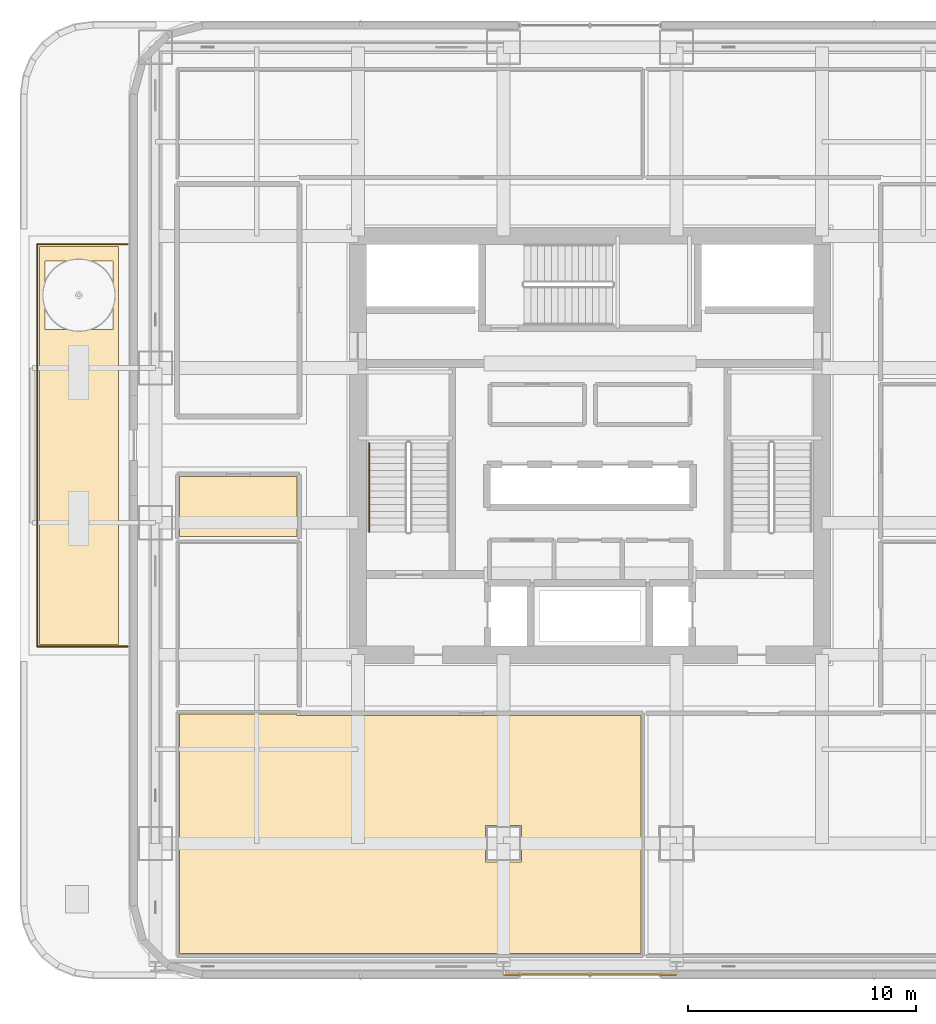
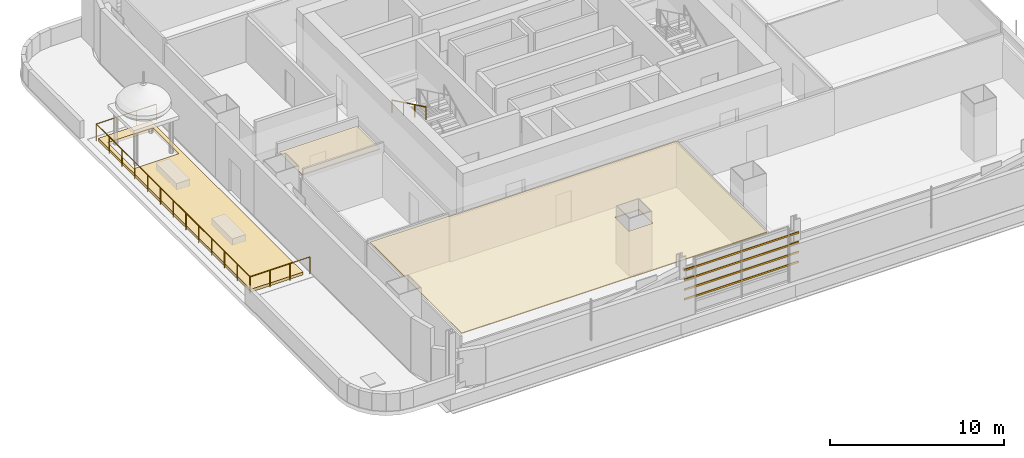
# One storey, part 17 of 27: 4 shading devices, 3 coverings, 2 railings.
"""IFC4 building model written with IfcOpenShell, lengths in metres."""

from ifc_helpers import new_model, si_unit, direction, frame, origin, origin_2d, place, context, subcontext, project, spatial, polyline, hollow_rectangle, circle, outline, extrude, material, layer, layer_set, material_profile, profile_set, type_object, element, save


model = new_model("IFC4")

# Units and contexts
model_context = context("Model", 3, precision=1e-05, world=origin(), true_north=direction((0.0, 1.0)))
body_context = subcontext(model_context, "Body", "Model", "MODEL_VIEW")
ifc_project = project(units=[si_unit("LENGTHUNIT", "METRE"), si_unit("AREAUNIT", "SQUARE_METRE"), si_unit("VOLUMEUNIT", "CUBIC_METRE"), si_unit("PLANEANGLEUNIT", "RADIAN"), si_unit("MASSUNIT", "GRAM", prefix="KILO")], contexts=[model_context])

# Site, building, storey
site_placement = place(None, origin())
site = spatial("IfcSite", under=ifc_project, at=site_placement, CompositionType="ELEMENT")
building_placement = place(site_placement, origin())
building = spatial("IfcBuilding", under=site, at=building_placement, Name="Punatoya Terracotta Tower", CompositionType="ELEMENT")
storey_placement = place(building_placement, frame((0.0, 0.0, 60.60009765625)))
storey = spatial("IfcBuildingStorey", under=building, at=storey_placement, Name="L13", CompositionType="ELEMENT", Elevation=60.60009765625)

# Coverings
ifc_material_1 = material(Name="Acoustic Mineral Fibre Ceiling")
ifc_layer_1 = layer(ifc_material_1, 0.06005859375)
ifc_layer_set_1 = layer_set([ifc_layer_1], Name="Acoustic Mineral Fibre Ceiling")
covering_type_1 = type_object("IfcCoveringType", Name="COV-CEIL-60", PredefinedType="CEILING", material=ifc_layer_set_1)
covering_1_placement = place(storey_placement, frame((0.0, 0.0, 3.159912109375)))
element("IfcCovering", 1, at=covering_1_placement, inside=storey, type_object=covering_type_1, Name="L13 Client Media Salon Acoustic Ceiling", PredefinedType="CEILING", context=body_context, shape_type="SweptSolid", body=[
    extrude(outline(polyline([(-12.8701171875, -11.8701171875), (-12.8701171875, -11.81005859375), (-18.0400390625, -11.81005859375), (-18.0400390625, -22.340087890625), (2.239990234375, -22.340087890625), (2.239990234375, -11.8701171875), (-12.8701171875, -11.8701171875)]), holes=[polyline([(-4.60009765625, -16.699951171875), (-3.0, -16.699951171875), (-3.0, -18.300048828125), (-4.60009765625, -18.300048828125), (-4.60009765625, -16.699951171875)])]), origin(), (0.0, 0.0, 1.0), 0.06005859375),
])
covering_2_placement = place(storey_placement, frame((0.0, 0.0, 3.159912109375)))
element("IfcCovering", 2, at=covering_2_placement, inside=storey, type_object=covering_type_1, Name="L13 Hospitality Tea Pantry Acoustic Ceiling", PredefinedType="CEILING", context=body_context, shape_type="SweptSolid", body=[
    extrude(outline(polyline([(-18.0400390625, -1.3701171875), (-18.0400390625, -3.998046875), (-12.8701171875, -3.998046875), (-12.8701171875, -1.3701171875), (-18.0400390625, -1.3701171875)])), origin(), (0.0, 0.0, 1.0), 0.06005859375),
])
ifc_material_2 = material(Name="Green Roof Planting Soil Medium")
ifc_layer_2 = layer(ifc_material_2, 0.35009765625)
ifc_layer_set_2 = layer_set([ifc_layer_2], Name="Green Roof Planting Soil Medium")
covering_type_2 = type_object("IfcCoveringType", Name="COV-TER-350", PredefinedType="ROOFING", material=ifc_layer_set_2)
covering_3_placement = place(storey_placement, origin())
element("IfcCovering", 3, at=covering_3_placement, inside=storey, type_object=covering_type_2, Name="L13 L13 Spiralling Sky Terrace Planted Soil Bed", PredefinedType="ROOFING", context=body_context, shape_type="SweptSolid", body=[
    extrude(outline(polyline([(-24.199951171875, 8.75), (-20.719970703125, 8.75), (-20.719970703125, -8.75), (-24.199951171875, -8.75), (-24.199951171875, 8.75)]), holes=[polyline([(-20.9599609375, 8.10009765625), (-23.9599609375, 8.10009765625), (-23.9599609375, 5.10009765625), (-20.9599609375, 5.10009765625), (-20.9599609375, 8.10009765625)])]), origin(), (0.0, 0.0, 1.0), 0.199951171875),
])

# Railings
ifc_material_3 = material(Name="Steel S355", Category="steel")
railing_type_1 = type_object("IfcRailingType", Name="RLG-BAL-1200", PredefinedType="BALUSTRADE", material=ifc_material_3)
railing_1_placement = place(storey_placement, frame((-20.320068359375, -8.840087890625, 0.0)))
element("IfcRailing", 4, at=railing_1_placement, inside=storey, type_object=railing_type_1, Name="L13 L13 Spiralling Sky Terrace Guardrail", PredefinedType="BALUSTRADE", context=body_context, shape_type="SweptSolid", body=[
    extrude(circle(Radius=0.02392578125, at=origin_2d()), frame((0.0, 0.0, 1.17578125), z_axis=(-1.0, 0.0, 0.0), x_axis=(0.0, -1.0, 0.0)), (0.0, 0.0, 1.0), 3.969970703125),
    extrude(circle(Radius=0.02392578125, at=origin_2d()), frame((-3.969970703125, 0.0, 1.17578125), z_axis=(0.0, 1.0, 0.0), x_axis=(-1.0, 0.0, 0.0)), (0.0, 0.0, 1.0), 17.68017578125),
    extrude(circle(Radius=0.02392578125, at=origin_2d()), frame((-3.969970703125, 17.68017578125, 1.17578125), z_axis=(1.0, 0.0, 0.0), x_axis=(0.0, 1.0, 0.0)), (0.0, 0.0, 1.0), 3.969970703125),
    extrude(circle(Radius=0.02099609375, at=origin_2d()), origin(), (0.0, 0.0, 1.0), 1.15185546875),
    extrude(circle(Radius=0.02099609375, at=origin_2d()), frame((-1.3232421875, 0.0, 0.0)), (0.0, 0.0, 1.0), 1.15185546875),
    extrude(circle(Radius=0.02099609375, at=origin_2d()), frame((-2.646728515625, 0.0, 0.0)), (0.0, 0.0, 1.0), 1.15185546875),
    extrude(circle(Radius=0.02099609375, at=origin_2d()), frame((-3.969970703125, 0.0, 0.0)), (0.0, 0.0, 1.0), 1.15185546875),
    extrude(circle(Radius=0.02099609375, at=origin_2d()), frame((-3.969970703125, 1.473388671875, 0.0)), (0.0, 0.0, 1.0), 1.15185546875),
    extrude(circle(Radius=0.02099609375, at=origin_2d()), frame((-3.969970703125, 2.94677734375, 0.0)), (0.0, 0.0, 1.0), 1.15185546875),
    extrude(circle(Radius=0.02099609375, at=origin_2d()), frame((-3.969970703125, 4.419921875, 0.0)), (0.0, 0.0, 1.0), 1.15185546875),
    extrude(circle(Radius=0.02099609375, at=origin_2d()), frame((-3.969970703125, 5.893310546875, 0.0)), (0.0, 0.0, 1.0), 1.15185546875),
    extrude(circle(Radius=0.02099609375, at=origin_2d()), frame((-3.969970703125, 7.36669921875, 0.0)), (0.0, 0.0, 1.0), 1.15185546875),
    extrude(circle(Radius=0.02099609375, at=origin_2d()), frame((-3.969970703125, 8.840087890625, 0.0)), (0.0, 0.0, 1.0), 1.15185546875),
    extrude(circle(Radius=0.02099609375, at=origin_2d()), frame((-3.969970703125, 10.3134765625, 0.0)), (0.0, 0.0, 1.0), 1.15185546875),
    extrude(circle(Radius=0.02099609375, at=origin_2d()), frame((-3.969970703125, 11.786865234375, 0.0)), (0.0, 0.0, 1.0), 1.15185546875),
    extrude(circle(Radius=0.02099609375, at=origin_2d()), frame((-3.969970703125, 13.26025390625, 0.0)), (0.0, 0.0, 1.0), 1.15185546875),
    extrude(circle(Radius=0.02099609375, at=origin_2d()), frame((-3.969970703125, 14.7333984375, 0.0)), (0.0, 0.0, 1.0), 1.15185546875),
    extrude(circle(Radius=0.02099609375, at=origin_2d()), frame((-3.969970703125, 16.206787109375, 0.0)), (0.0, 0.0, 1.0), 1.15185546875),
    extrude(circle(Radius=0.02099609375, at=origin_2d()), frame((-3.969970703125, 17.68017578125, 0.0)), (0.0, 0.0, 1.0), 1.15185546875),
    extrude(circle(Radius=0.02099609375, at=origin_2d()), frame((-2.646728515625, 17.68017578125, 0.0)), (0.0, 0.0, 1.0), 1.15185546875),
    extrude(circle(Radius=0.02099609375, at=origin_2d()), frame((-1.3232421875, 17.68017578125, 0.0)), (0.0, 0.0, 1.0), 1.15185546875),
    extrude(circle(Radius=0.02099609375, at=origin_2d()), frame((0.0, 17.68017578125, 0.0)), (0.0, 0.0, 1.0), 1.15185546875),
])
railing_type_2 = type_object("IfcRailingType", Name="RLG-HND-900", PredefinedType="HANDRAIL", material=ifc_material_3)
railing_2_placement = place(storey_placement, frame((-9.699951171875, 0.10009765625, 2.16943359375)))
element("IfcRailing", 5, at=railing_2_placement, inside=storey, type_object=railing_type_2, Name="L13 ST-1 stair handrail 2", PredefinedType="HANDRAIL", context=body_context, shape_type="SweptSolid", body=[
    extrude(circle(Radius=0.02392578125, at=origin_2d()), frame((0.0, 0.0, 0.8759765625), z_axis=(0.0, -0.900773802044, 0.434288564841), x_axis=(1.0, 0.0, 0.0)), (0.0, 0.0, 1.0), 4.329833984375),
    extrude(circle(Radius=0.02099609375, at=origin_2d()), origin(), (0.0, 0.0, 1.0), 0.851806640625),
    extrude(circle(Radius=0.02099609375, at=origin_2d()), frame((0.0, -1.300048828125, 0.626708984375)), (0.0, 0.0, 1.0), 0.851806640625),
    extrude(circle(Radius=0.02099609375, at=origin_2d()), frame((0.0, -2.60009765625, 1.253662109375)), (0.0, 0.0, 1.0), 0.851806640625),
    extrude(circle(Radius=0.02099609375, at=origin_2d()), frame((0.0, -3.900146484375, 1.88037109375)), (0.0, 0.0, 1.0), 0.851806640625),
])

# Shading devices
ifc_material_4 = material(Name="Architectural Fired Terracotta", Category="masonry")
ifc_material_profile = material_profile(ifc_material_4, hollow_rectangle(XDim=0.06494140625, YDim=0.1201171875, WallThickness=0.014892578125, at=origin_2d()))
ifc_profile_set = profile_set([ifc_material_profile], Name="Architectural Fired Terracotta")
shading_device_type = type_object("IfcShadingDeviceType", Name="SHD-BAG-120", PredefinedType="USERDEFINED", material=ifc_profile_set)
for number, where, z_axis, x_axis, name in (
    (6, (-3.800048828125, -23.262939453125, 1.14990234375), (1.0, 0.0, 0.0), (0.0, 1.0, 0.0), "L13 Fired Terracotta Baguette Louvre BAG-L13-S-01"),
    (7, (-3.800048828125, -23.262939453125, 1.836669921875), (1.0, 0.0, 0.0), (0.0, 1.0, 0.0), "L13 Fired Terracotta Baguette Louvre BAG-L13-S-02"),
    (8, (-3.800048828125, -23.262939453125, 2.523193359375), (1.0, 0.0, 0.0), (0.0, 1.0, 0.0), "L13 Fired Terracotta Baguette Louvre BAG-L13-S-03"),
    (9, (-3.800048828125, -23.262939453125, 3.2099609375), (1.0, 0.0, 0.0), (0.0, 1.0, 0.0), "L13 Fired Terracotta Baguette Louvre BAG-L13-S-04"),
):
    element("IfcShadingDevice", number, at=place(storey_placement, frame(where, z_axis=z_axis, x_axis=x_axis)), inside=storey, type_object=shading_device_type, Name=name, ObjectType="BAGUETTE", PredefinedType="USERDEFINED", context=body_context, shape_type="SweptSolid", body=[
        extrude(hollow_rectangle(XDim=0.06494140625, YDim=0.1201171875, WallThickness=0.014892578125, at=origin_2d()), origin(), (0.0, 0.0, 1.0), 7.60009765625),
    ])

save(model, "model.ifc")
